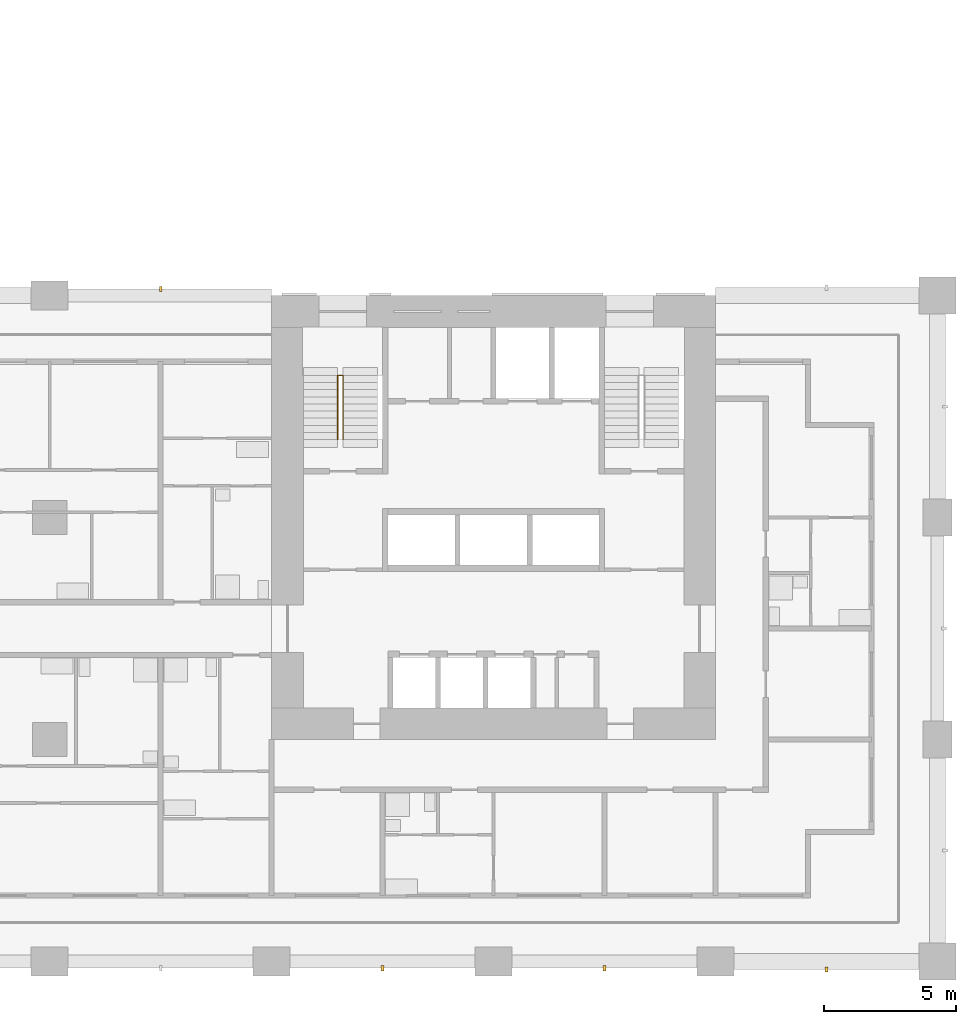
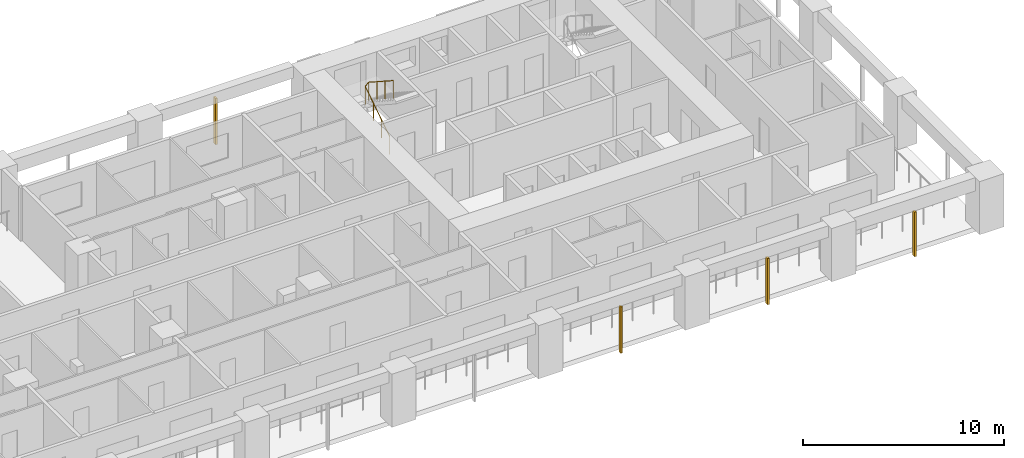
# One storey, part 13 of 19: 4 shading devices, 1 railing.
"""IFC4 building model written with IfcOpenShell, lengths in metres."""

from ifc_helpers import new_model, si_unit, direction, frame, origin, origin_2d, place, context, subcontext, project, spatial, rectangle, circle, extrude, material, material_profile, profile_set, type_object, element, save


model = new_model("IFC4")

# Units and contexts
model_context = context("Model", 3, precision=1e-05, world=origin(), true_north=direction((0.0, 1.0)))
body_context = subcontext(model_context, "Body", "Model", "MODEL_VIEW")
ifc_project = project(units=[si_unit("LENGTHUNIT", "METRE"), si_unit("AREAUNIT", "SQUARE_METRE"), si_unit("VOLUMEUNIT", "CUBIC_METRE"), si_unit("PLANEANGLEUNIT", "RADIAN"), si_unit("MASSUNIT", "GRAM", prefix="KILO")], contexts=[model_context])

# Site, building, storey
site_placement = place(None, origin())
site = spatial("IfcSite", under=ifc_project, at=site_placement, CompositionType="ELEMENT")
building_placement = place(site_placement, origin())
building = spatial("IfcBuilding", under=site, at=building_placement, Name="Vermilion Gate Residences", CompositionType="ELEMENT")
storey_placement = place(building_placement, frame((0.0, 0.0, 49.699951171875)))
storey = spatial("IfcBuildingStorey", under=building, at=storey_placement, Name="L11", CompositionType="ELEMENT", Elevation=49.699951171875)

# Railing
ifc_material_1 = material(Name="Steel S355", Category="steel")
railing_type = type_object("IfcRailingType", Name="STAIR GUARD 1100 STEEL", PredefinedType="GUARDRAIL", material=ifc_material_1)
railing_placement = place(storey_placement, frame((44.5, 19.75, 0.175048828125)))
element("IfcRailing", 1, at=railing_placement, inside=storey, type_object=railing_type, Name="Stair well guard STA1-11", PredefinedType="GUARDRAIL", context=body_context, shape_type="SweptSolid", body=[
    extrude(circle(Radius=0.02392578125, at=origin_2d()), frame((0.0, 0.0, 1.076171875), z_axis=(0.0, 0.839153699163, 0.543894354798), x_axis=(-1.0, 0.0, 0.0)), (0.0, 0.0, 1.0), 2.895751953125),
    extrude(circle(Radius=0.02392578125, at=origin_2d()), frame((0.0, 2.429931640625, 2.65087890625), z_axis=(0.752405939678, 0.0, 0.658699705433), x_axis=(0.0, 1.0, 0.0)), (0.0, 0.0, 1.0), 0.265869140625),
    extrude(circle(Radius=0.02392578125, at=origin_2d()), frame((0.199951171875, 2.429931640625, 2.826171875), z_axis=(0.0, -0.839153699163, 0.543894354798), x_axis=(1.0, 0.0, 0.0)), (0.0, 0.0, 1.0), 2.895751953125),
    extrude(circle(Radius=0.02099609375, at=origin_2d()), origin(), (0.0, 0.0, 1.0), 1.052001953125),
    extrude(circle(Radius=0.02099609375, at=origin_2d()), frame((0.0, 0.81005859375, 0.52490234375)), (0.0, 0.0, 1.0), 1.052001953125),
    extrude(circle(Radius=0.02099609375, at=origin_2d()), frame((0.0, 1.619873046875, 1.050048828125)), (0.0, 0.0, 1.0), 1.052001953125),
    extrude(circle(Radius=0.02099609375, at=origin_2d()), frame((0.0, 2.429931640625, 1.574951171875)), (0.0, 0.0, 1.0), 1.052001953125),
    extrude(circle(Radius=0.02099609375, at=origin_2d()), frame((0.199951171875, 2.429931640625, 1.75)), (0.0, 0.0, 1.0), 1.052001953125),
    extrude(circle(Radius=0.02099609375, at=origin_2d()), frame((0.199951171875, 1.619873046875, 2.27490234375)), (0.0, 0.0, 1.0), 1.052001953125),
    extrude(circle(Radius=0.02099609375, at=origin_2d()), frame((0.199951171875, 0.81005859375, 2.800048828125)), (0.0, 0.0, 1.0), 1.052001953125),
    extrude(circle(Radius=0.02099609375, at=origin_2d()), frame((0.199951171875, 0.0, 3.324951171875)), (0.0, 0.0, 1.0), 1.052001953125),
])

# Shading devices
ifc_material_2 = material(Name="Extruded terracotta", Category="masonry")
ifc_material_profile = material_profile(ifc_material_2, rectangle(XDim=0.199951171875, YDim=0.10009765625, at=origin_2d()), Name="BAGUETTE 100 X 200")
ifc_profile_set = profile_set([ifc_material_profile], Name="Extruded terracotta")
shading_device_type = type_object("IfcShadingDeviceType", Name="TERRACOTTA BAGUETTE 100 X 200", PredefinedType="JALOUSIE", material=ifc_profile_set)
for number, where, z_axis, x_axis, name in (
    (2, (46.199951171875, -0.25, -0.280029296875), (0.0, 0.0, 1.0), (0.0, 1.0, 0.0), "BAGUETTE"),
    (3, (54.60009765625, -0.25, -0.280029296875), (0.0, 0.0, 1.0), (0.0, 1.0, 0.0), "BAGUETTE"),
):
    element("IfcShadingDevice", number, at=place(storey_placement, frame(where, z_axis=z_axis, x_axis=x_axis)), inside=storey, type_object=shading_device_type, Name=name, PredefinedType="JALOUSIE", context=body_context, shape_type="SweptSolid", body=[
        extrude(rectangle(XDim=0.199951171875, YDim=0.10009765625, at=origin_2d()), origin(), (0.0, 0.0, 1.0), 2.800048828125),
    ])
shading_device_1_placement = place(storey_placement, frame((63.0, -0.300048828125, -0.280029296875), z_axis=(0.0, 0.0, 1.0), x_axis=(0.0, 1.0, 0.0)))
element("IfcShadingDevice", 4, at=shading_device_1_placement, inside=storey, type_object=shading_device_type, Name="BAGUETTE", PredefinedType="JALOUSIE", context=body_context, shape_type="SweptSolid", body=[
    extrude(rectangle(XDim=0.199951171875, YDim=0.10009765625, at=origin_2d()), origin(), (0.0, 0.0, 1.0), 2.7001953125),
])
shading_device_2_placement = place(storey_placement, frame((37.800048828125, 25.449951171875, -0.280029296875), z_axis=(0.0, 0.0, 1.0), x_axis=(0.0, -1.0, 0.0)))
element("IfcShadingDevice", 5, at=shading_device_2_placement, inside=storey, type_object=shading_device_type, Name="BAGUETTE", PredefinedType="JALOUSIE", context=body_context, shape_type="SweptSolid", body=[
    extrude(rectangle(XDim=0.199951171875, YDim=0.10009765625, at=origin_2d()), origin(), (0.0, 0.0, 1.0), 2.800048828125),
])

save(model, "model.ifc")
